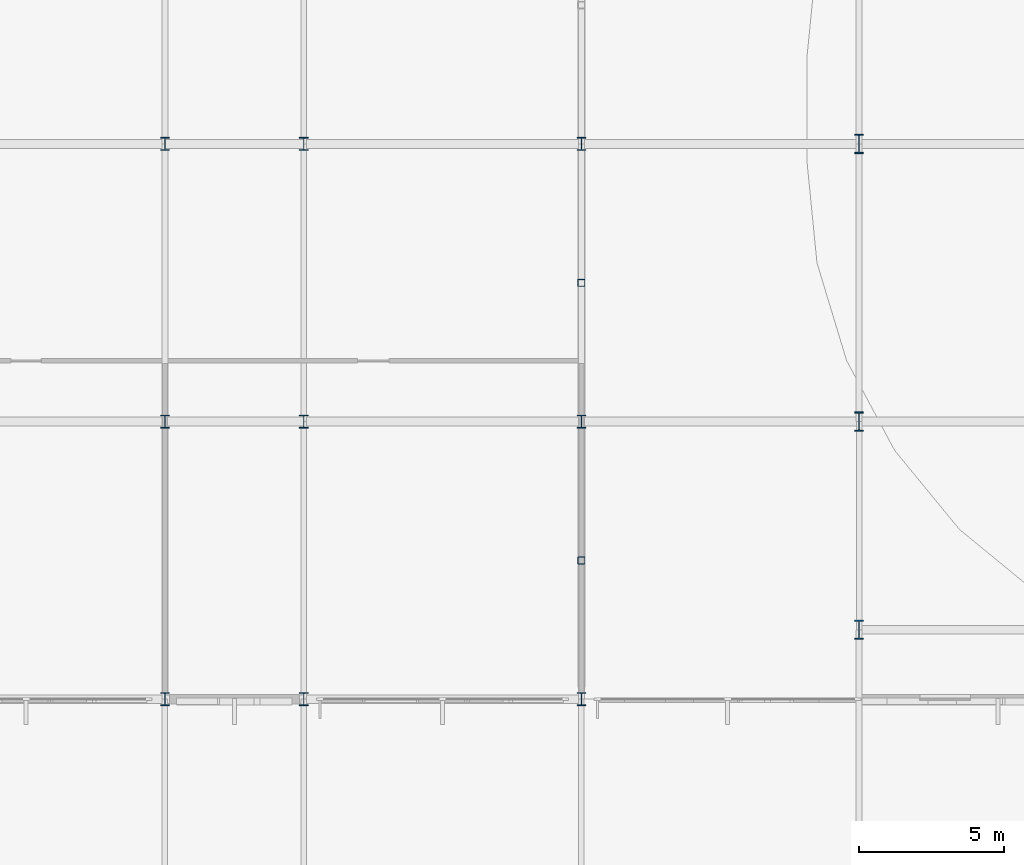
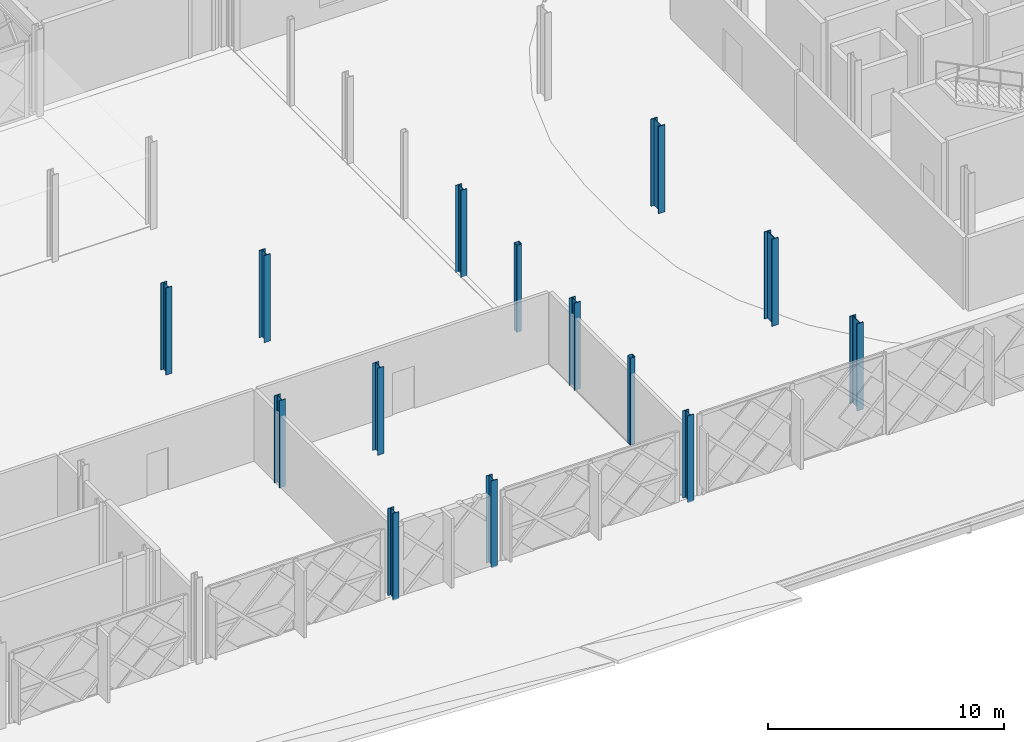
# One storey, part 7 of 101: 14 columns.
"""IFC4 building model written with IfcOpenShell, lengths in metres."""

from ifc_helpers import new_model, si_unit, direction, frame, origin, origin_2d, place, context, subcontext, project, spatial, hollow_rectangle, i_section, extrude, material, material_profile, profile_set, type_object, element, save


model = new_model("IFC4")

# Units and contexts
model_context = context("Model", 3, precision=1e-05, world=origin(), true_north=direction((0.0, 1.0)))
body_context = subcontext(model_context, "Body", "Model", "MODEL_VIEW")
ifc_project = project(units=[si_unit("LENGTHUNIT", "METRE"), si_unit("AREAUNIT", "SQUARE_METRE"), si_unit("VOLUMEUNIT", "CUBIC_METRE"), si_unit("PLANEANGLEUNIT", "RADIAN"), si_unit("MASSUNIT", "GRAM", prefix="KILO")], contexts=[model_context])

# Site, building, storey
site_placement = place(None, origin())
site = spatial("IfcSite", under=ifc_project, at=site_placement, CompositionType="ELEMENT")
building_placement = place(site_placement, origin())
building = spatial("IfcBuilding", under=site, at=building_placement, Name="Zevrakil Square Congress Hotel", CompositionType="ELEMENT")
storey_placement = place(building_placement, frame((0.0, 0.0, 5.39990234375)))
storey = spatial("IfcBuildingStorey", under=building, at=storey_placement, Name="L02", CompositionType="ELEMENT", Elevation=5.39990234375)

# Columns
ifc_material_1 = material(Name="Steel S355", Category="steel")
ifc_material_profile_1 = material_profile(ifc_material_1, i_section(OverallWidth=0.300048828125, OverallDepth=0.449951171875, WebThickness=0.013916015625, FlangeThickness=0.02587890625, FilletRadius=0.027099609375, at=origin_2d()), Name="HEB 450")
ifc_profile_set_1 = profile_set([ifc_material_profile_1], Name="Steel S355")
column_type_1 = type_object("IfcColumnType", Name="COL-HEB450", PredefinedType="COLUMN", material=ifc_profile_set_1)
for number, where, z_axis, x_axis, name in (
    (1, (103.199951171875, 7.199951171875, 0.0), (0.0, 0.0, 1.0), (1.0, 0.0, 0.0), "L02 column C-150"),
    (2, (103.199951171875, 16.800048828125, 0.0), (0.0, 0.0, 1.0), (1.0, 0.0, 0.0), "L02 column C-151"),
    (3, (103.199951171875, 26.39990234375, 0.0), (0.0, 0.0, 1.0), (1.0, 0.0, 0.0), "L02 column C-152"),
    (4, (108.0, 7.199951171875, 0.0), (0.0, 0.0, 1.0), (1.0, 0.0, 0.0), "L02 column C-164"),
    (5, (108.0, 16.800048828125, 0.0), (0.0, 0.0, 1.0), (1.0, 0.0, 0.0), "L02 column C-165"),
    (6, (108.0, 26.39990234375, 0.0), (0.0, 0.0, 1.0), (1.0, 0.0, 0.0), "L02 column C-166"),
    (7, (117.60009765625, 7.199951171875, 0.0), (0.0, 0.0, 1.0), (1.0, 0.0, 0.0), "L02 column C-178"),
    (8, (117.60009765625, 16.800048828125, 0.0), (0.0, 0.0, 1.0), (1.0, 0.0, 0.0), "L02 column C-180"),
    (9, (117.60009765625, 26.39990234375, 0.0), (0.0, 0.0, 1.0), (1.0, 0.0, 0.0), "L02 column C-182"),
):
    element("IfcColumn", number, at=place(storey_placement, frame(where, z_axis=z_axis, x_axis=x_axis)), inside=storey, type_object=column_type_1, Name=name, PredefinedType="COLUMN", context=body_context, shape_type="SweptSolid", body=[
        extrude(i_section(OverallWidth=0.300048828125, OverallDepth=0.449951171875, WebThickness=0.013916015625, FlangeThickness=0.02587890625, FilletRadius=0.027099609375, at=origin_2d()), origin(), (0.0, 0.0, 1.0), 4.5),
    ])
ifc_material_2 = material(Name="Steel S355", Category="steel")
ifc_material_profile_2 = material_profile(ifc_material_2, i_section(OverallWidth=0.304931640625, OverallDepth=0.66796875, WebThickness=0.02099609375, FlangeThickness=0.0400390625, FilletRadius=0.027099609375, at=origin_2d()), Name="HEM 650")
ifc_profile_set_2 = profile_set([ifc_material_profile_2], Name="Steel S355")
column_type_2 = type_object("IfcColumnType", Name="COL-HEM650", PredefinedType="COLUMN", material=ifc_profile_set_2)
for number, where, z_axis, x_axis, name in (
    (10, (127.199951171875, 9.60009765625, 0.0), (0.0, 0.0, 1.0), (1.0, 0.0, 0.0), "L02 column C-196"),
    (11, (127.199951171875, 16.800048828125, 0.0), (0.0, 0.0, 1.0), (1.0, 0.0, 0.0), "L02 column C-197"),
    (12, (127.199951171875, 26.39990234375, 0.0), (0.0, 0.0, 1.0), (1.0, 0.0, 0.0), "L02 column C-198"),
):
    element("IfcColumn", number, at=place(storey_placement, frame(where, z_axis=z_axis, x_axis=x_axis)), inside=storey, type_object=column_type_2, Name=name, PredefinedType="COLUMN", context=body_context, shape_type="SweptSolid", body=[
        extrude(i_section(OverallWidth=0.304931640625, OverallDepth=0.66796875, WebThickness=0.02099609375, FlangeThickness=0.0400390625, FilletRadius=0.027099609375, at=origin_2d()), origin(), (0.0, 0.0, 1.0), 4.5),
    ])
ifc_material_3 = material(Name="Steel S355", Category="steel")
ifc_material_profile_3 = material_profile(ifc_material_3, hollow_rectangle(XDim=0.25, YDim=0.25, WallThickness=0.012451171875, InnerFilletRadius=0.012451171875, OuterFilletRadius=0.02490234375, at=origin_2d()), Name="SHS 250x250x12.5")
ifc_profile_set_3 = profile_set([ifc_material_profile_3], Name="Steel S355")
column_type_3 = type_object("IfcColumnType", Name="COL-PILASTER-SHS250", PredefinedType="PILASTER", material=ifc_profile_set_3)
for number, where, z_axis, x_axis, name in (
    (13, (117.60009765625, 12.0, 0.0), (0.0, 0.0, 1.0), (1.0, 0.0, 0.0), "L02 pilaster PL-05"),
    (14, (117.60009765625, 21.60009765625, 0.0), (0.0, 0.0, 1.0), (1.0, 0.0, 0.0), "L02 pilaster PL-06"),
):
    element("IfcColumn", number, at=place(storey_placement, frame(where, z_axis=z_axis, x_axis=x_axis)), inside=storey, type_object=column_type_3, Name=name, PredefinedType="PILASTER", context=body_context, shape_type="SweptSolid", body=[
        extrude(hollow_rectangle(XDim=0.25, YDim=0.25, WallThickness=0.012451171875, InnerFilletRadius=0.012451171875, OuterFilletRadius=0.02490234375, at=origin_2d()), origin(), (0.0, 0.0, 1.0), 4.5),
    ])

save(model, "model.ifc")
